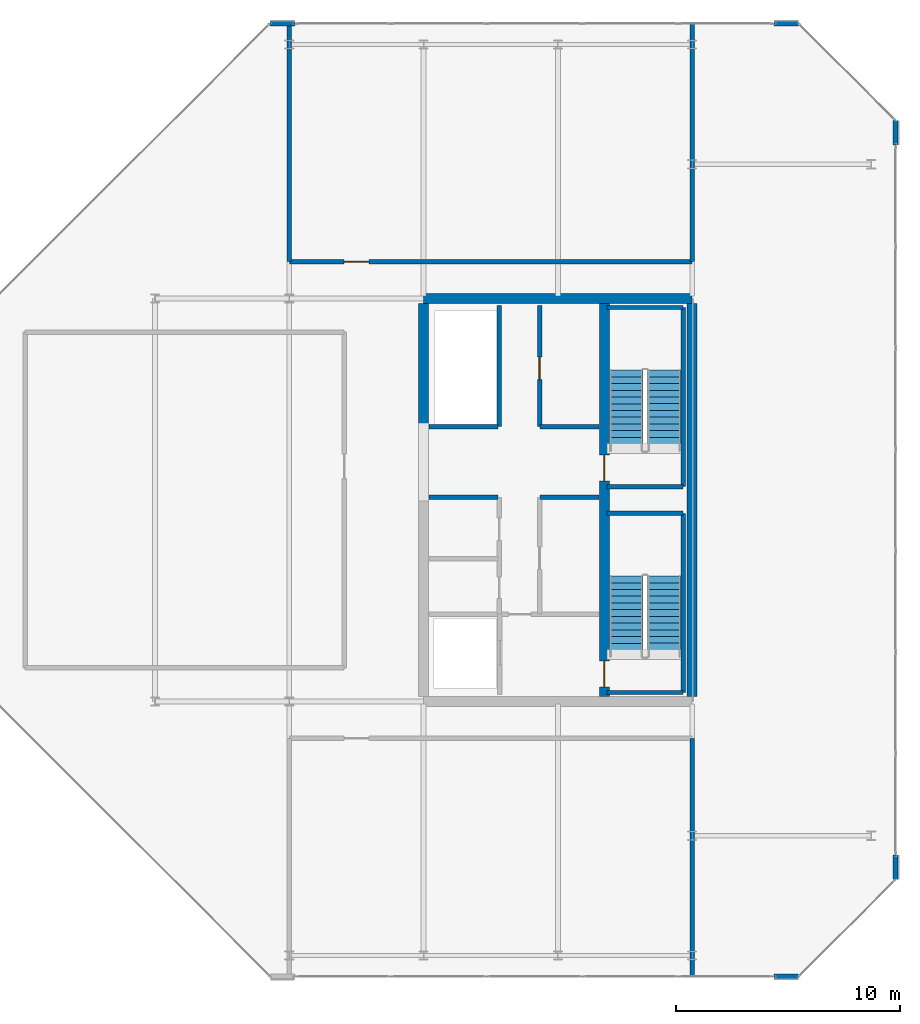
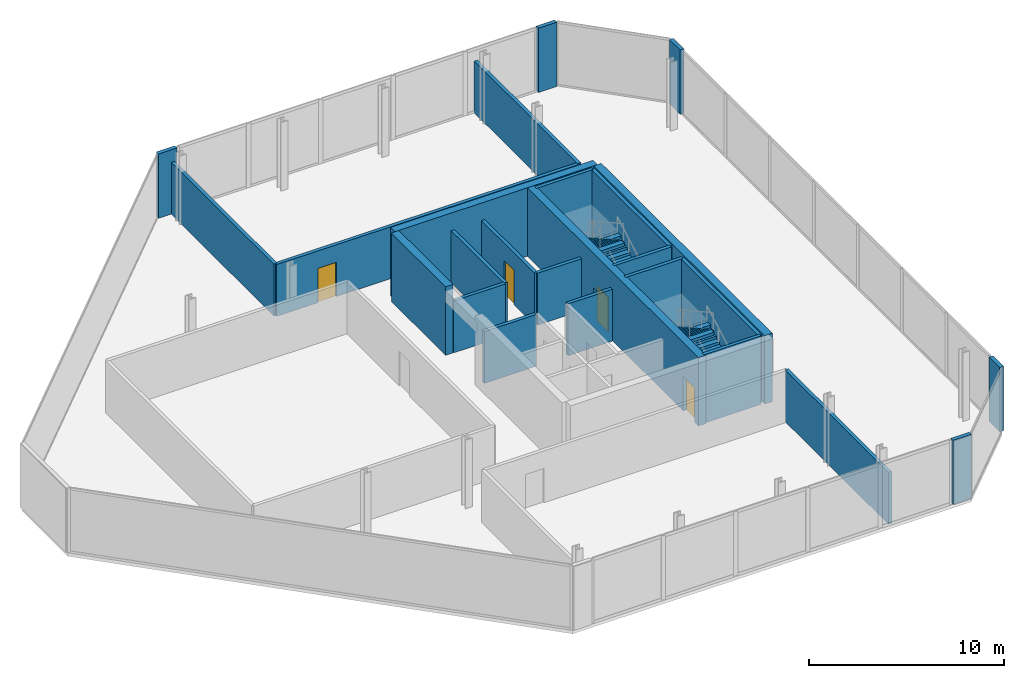
# One storey, part 14 of 16: 25 walls, 4 doors, 4 stair flights, 4 openings, 2 elements without a shape of their own.
"""IFC4 building model written with IfcOpenShell, lengths in metres."""

from ifc_helpers import new_model, si_unit, direction, frame, frame_2d, origin, place, context, subcontext, project, spatial, polyline, rectangle, outline, extrude, material, layer, layer_set, type_object, element, fill, aggregate, save


model = new_model("IFC4")

# Units and contexts
model_context = context("Model", 3, precision=1e-05, world=origin(), true_north=direction((0.0, 1.0)))
body_context = subcontext(model_context, "Body", "Model", "MODEL_VIEW")
ifc_project = project(units=[si_unit("LENGTHUNIT", "METRE"), si_unit("AREAUNIT", "SQUARE_METRE"), si_unit("VOLUMEUNIT", "CUBIC_METRE"), si_unit("PLANEANGLEUNIT", "RADIAN"), si_unit("MASSUNIT", "GRAM", prefix="KILO")], contexts=[model_context])

# Site, building, storey
site_placement = place(None, origin())
site = spatial("IfcSite", under=ifc_project, at=site_placement, CompositionType="ELEMENT")
building_placement = place(site_placement, origin())
building = spatial("IfcBuilding", under=site, at=building_placement, Name="Tanjung Sevakor Pilgrim Tower", CompositionType="ELEMENT")
storey_placement = place(building_placement, frame((0.0, 0.0, 278.85009765625)))
storey = spatial("IfcBuildingStorey", under=building, at=storey_placement, Name="L78", CompositionType="ELEMENT", Elevation=278.85009765625)

# Walls
ifc_material_1 = material(Name="Concrete C60/75", Category="concrete")
ifc_layer_1 = layer(ifc_material_1, 0.449951171875)
ifc_layer_set_1 = layer_set([ifc_layer_1], Name="WALL-CW-450")
wall_type_1 = type_object("IfcWallType", Name="WALL-CW-450", PredefinedType="SHEAR", material=ifc_layer_set_1)
wall_1_placement = place(storey_placement, frame((90.0, 42.60009765625, 0.0), z_axis=(0.0, 0.0, 1.0), x_axis=(-1.0, 0.0, 0.0)))
element("IfcWall", 1, at=wall_1_placement, inside=storey, type_object=wall_type_1, Name="L78 E Core North Shear Wall", PredefinedType="SHEAR", context=body_context, shape_type="SweptSolid", body=[
    extrude(rectangle(XDim=12.0, YDim=0.449951171875, at=frame_2d((6.0, 0.0))), origin(), (0.0, 0.0, 1.0), 4.289794921875),
])
wall_2_placement = place(storey_placement, frame((90.0, 24.824951171875, 0.0), z_axis=(0.0, 0.0, 1.0), x_axis=(0.0, 1.0, 0.0)))
element("IfcWall", 2, at=wall_2_placement, inside=storey, type_object=wall_type_1, Name="L78 E Core Outer Shear Wall", PredefinedType="SHEAR", context=body_context, shape_type="SweptSolid", body=[
    extrude(rectangle(XDim=17.550048828125, YDim=0.449951171875, at=frame_2d((8.77490234375, 0.0))), origin(), (0.0, 0.0, 1.0), 4.289794921875),
])
wall_3_placement = place(storey_placement, frame((78.0, 36.800048828125, 0.0), z_axis=(0.0, 0.0, 1.0), x_axis=(0.0, 1.0, 0.0)))
element("IfcWall", 3, at=wall_3_placement, inside=storey, type_object=wall_type_1, Name="L78 E Core Inner Shear Wall North", PredefinedType="SHEAR", context=body_context, shape_type="SweptSolid", body=[
    extrude(rectangle(XDim=5.574951171875, YDim=0.449951171875, at=frame_2d((2.78759765625, 0.0))), origin(), (0.0, 0.0, 1.0), 4.289794921875),
])

# Wall, openings, doors
wall_4_placement = place(storey_placement, frame((86.074951171875, 24.824951171875, 0.0), z_axis=(0.0, 0.0, 1.0), x_axis=(0.0, 1.0, 0.0)))
wall_4 = element("IfcWall", 4, at=wall_4_placement, inside=storey, type_object=wall_type_1, Name="L78 E Core Stair Spine Wall", PredefinedType="SHEAR", context=body_context, shape_type="SweptSolid", body=[
    extrude(rectangle(XDim=17.550048828125, YDim=0.449951171875, at=frame_2d((8.77490234375, 0.0))), origin(), (0.0, 0.0, 1.0), 4.289794921875),
])
opening_1_placement = place(wall_4_placement, frame((0.425048828125, 0.0, 0.0)))
opening_1 = element("IfcOpeningElement", 5, at=opening_1_placement, cuts=wall_4, Name="Opening ID-ST1", PredefinedType="OPENING", context=body_context, shape_type="SweptSolid", body=[
    extrude(rectangle(XDim=1.14990234375, YDim=2.14990234375, at=frame_2d((0.574951171875, 1.074951171875))), frame((0.0, 0.23486328125, 0.0), z_axis=(0.0, -1.0, 0.0), x_axis=(1.0, 0.0, 0.0)), (0.0, 0.0, 1.0), 0.469970703125),
])
opening_2_placement = place(wall_4_placement, frame((9.625, 0.0, 0.0)))
opening_2 = element("IfcOpeningElement", 6, at=opening_2_placement, cuts=wall_4, Name="Opening ID-ST1", PredefinedType="OPENING", context=body_context, shape_type="SweptSolid", body=[
    extrude(rectangle(XDim=1.14990234375, YDim=2.14990234375, at=frame_2d((0.574951171875, 1.074951171875))), frame((0.0, 0.23486328125, 0.0), z_axis=(0.0, -1.0, 0.0), x_axis=(1.0, 0.0, 0.0)), (0.0, 0.0, 1.0), 0.469970703125),
])
ifc_material_2 = material(Name="Fire-Rated Steel S355J2", Category="steel")
door_type_1 = type_object("IfcDoorType", Name="DT-FIRE-1150", OperationType="NOTDEFINED", PredefinedType="DOOR", material=ifc_material_2)
door_1_placement = place(opening_1_placement, origin())
door_1 = element("IfcDoor", 7, at=door_1_placement, inside=storey, type_object=door_type_1, Name="L78 TS-E1 Stair Fire Door", OperationType="SINGLE_SWING_LEFT", OverallHeight=2.14990234375, OverallWidth=1.14990234375, PredefinedType="DOOR", context=body_context, shape_type="SweptSolid", body=[
    extrude(rectangle(XDim=1.14990234375, YDim=2.14990234375, at=frame_2d((0.574951171875, 1.074951171875))), frame((0.0, 0.02490234375, 0.0), z_axis=(0.0, -1.0, 0.0), x_axis=(1.0, 0.0, 0.0)), (0.0, 0.0, 1.0), 0.050048828125),
])
fill(opening_1, door_1)
door_2_placement = place(opening_2_placement, origin())
door_2 = element("IfcDoor", 8, at=door_2_placement, inside=storey, type_object=door_type_1, Name="L78 TS-E2 Stair Fire Door", OperationType="SINGLE_SWING_RIGHT", OverallHeight=2.14990234375, OverallWidth=1.14990234375, PredefinedType="DOOR", context=body_context, shape_type="SweptSolid", body=[
    extrude(rectangle(XDim=1.14990234375, YDim=2.14990234375, at=frame_2d((0.574951171875, 1.074951171875))), frame((0.0, 0.02490234375, 0.0), z_axis=(0.0, -1.0, 0.0), x_axis=(1.0, 0.0, 0.0)), (0.0, 0.0, 1.0), 0.050048828125),
])
fill(opening_2, door_2)

# Walls
ifc_material_3 = material(Name="Precast concrete C45/55", Category="concrete")
ifc_layer_2 = layer(ifc_material_3, 0.219970703125)
ifc_layer_set_2 = layer_set([ifc_layer_2], Name="WT-EW-STN4")
wall_type_2 = type_object("IfcWallType", Name="WT-EW-STN4", PredefinedType="SOLIDWALL", material=ifc_layer_set_2)
for number, where, z_axis, x_axis, name in (
    (9, (93.654296875, 12.31005859375, 0.0), (0.0, 0.0, 1.0), (1.0, 0.0, 0.0), "L78 EAST Crown Pier 0-1B"),
    (10, (99.090087890625, 16.6455078125, 0.0), (0.0, 0.0, 1.0), (0.0, 1.0, 0.0), "L78 EAST Crown Pier 2-1A"),
    (11, (99.090087890625, 49.454345703125, 0.0), (0.0, 0.0, 1.0), (0.0, 1.0, 0.0), "L78 EAST Crown Pier 2-1B"),
    (12, (94.75439453125, 54.889892578125, 0.0), (0.0, 0.0, 1.0), (-1.0, 0.0, 0.0), "L78 EAST Crown Pier 4-1A"),
    (13, (72.24560546875, 54.889892578125, 0.0), (0.0, 0.0, 1.0), (-1.0, 0.0, 0.0), "L78 EAST Crown Pier 4-1B"),
):
    element("IfcWall", number, at=place(storey_placement, frame(where, z_axis=z_axis, x_axis=x_axis)), inside=storey, type_object=wall_type_2, Name=name, PredefinedType="SOLIDWALL", context=body_context, shape_type="SweptSolid", body=[
        extrude(rectangle(XDim=1.10009765625, YDim=0.219970703125, at=frame_2d((0.550048828125, 0.0))), origin(), (0.0, 0.0, 1.0), 4.030029296875),
    ])
ifc_material_4 = material(Name="Concrete C40/50", Category="concrete")
ifc_layer_3 = layer(ifc_material_4, 0.199951171875)
ifc_layer_set_3 = layer_set([ifc_layer_3], Name="WT-FIRE-200")
wall_type_3 = type_object("IfcWallType", Name="WT-FIRE-200", PredefinedType="SOLIDWALL", material=ifc_layer_set_3)
wall_5_placement = place(storey_placement, frame((86.199951171875, 25.0, 0.0), z_axis=(0.0, 0.0, 1.0), x_axis=(1.0, 0.0, 0.0)))
element("IfcWall", 14, at=wall_5_placement, inside=storey, type_object=wall_type_3, Name="L78 TS-E1 Shaft Wall 1", PredefinedType="SOLIDWALL", context=body_context, shape_type="SweptSolid", body=[
    extrude(rectangle(XDim=3.400146484375, YDim=0.199951171875, at=frame_2d((1.7001953125, 0.0))), origin(), (0.0, 0.0, 1.0), 4.289794921875),
])
wall_6_placement = place(storey_placement, frame((89.60009765625, 25.0, 0.0), z_axis=(0.0, 0.0, 1.0), x_axis=(0.0, 1.0, 0.0)))
element("IfcWall", 15, at=wall_6_placement, inside=storey, type_object=wall_type_3, Name="L78 TS-E1 Shaft Wall 2", PredefinedType="SOLIDWALL", context=body_context, shape_type="SweptSolid", body=[
    extrude(rectangle(XDim=8.0, YDim=0.199951171875, at=frame_2d((4.0, 0.0))), origin(), (0.0, 0.0, 1.0), 4.289794921875),
])
for number, where, z_axis, x_axis, name in (
    (16, (89.60009765625, 33.0, 0.0), (0.0, 0.0, 1.0), (-1.0, 0.0, 0.0), "L78 TS-E1 Shaft Wall 3"),
    (17, (86.199951171875, 34.199951171875, 0.0), (0.0, 0.0, 1.0), (1.0, 0.0, 0.0), "L78 TS-E2 Shaft Wall 1"),
):
    element("IfcWall", number, at=place(storey_placement, frame(where, z_axis=z_axis, x_axis=x_axis)), inside=storey, type_object=wall_type_3, Name=name, PredefinedType="SOLIDWALL", context=body_context, shape_type="SweptSolid", body=[
        extrude(rectangle(XDim=3.400146484375, YDim=0.199951171875, at=frame_2d((1.7001953125, 0.0))), origin(), (0.0, 0.0, 1.0), 4.289794921875),
    ])
wall_7_placement = place(storey_placement, frame((89.60009765625, 34.199951171875, 0.0), z_axis=(0.0, 0.0, 1.0), x_axis=(0.0, 1.0, 0.0)))
element("IfcWall", 18, at=wall_7_placement, inside=storey, type_object=wall_type_3, Name="L78 TS-E2 Shaft Wall 2", PredefinedType="SOLIDWALL", context=body_context, shape_type="SweptSolid", body=[
    extrude(rectangle(XDim=8.0, YDim=0.199951171875, at=frame_2d((4.0, 0.0))), origin(), (0.0, 0.0, 1.0), 4.289794921875),
])
wall_8_placement = place(storey_placement, frame((89.60009765625, 42.199951171875, 0.0), z_axis=(0.0, 0.0, 1.0), x_axis=(-1.0, 0.0, 0.0)))
element("IfcWall", 19, at=wall_8_placement, inside=storey, type_object=wall_type_3, Name="L78 TS-E2 Shaft Wall 3", PredefinedType="SOLIDWALL", context=body_context, shape_type="SweptSolid", body=[
    extrude(rectangle(XDim=3.400146484375, YDim=0.199951171875, at=frame_2d((1.7001953125, 0.0))), origin(), (0.0, 0.0, 1.0), 4.289794921875),
])
ifc_material_5 = material(Name="Concrete C40/50", Category="concrete")
ifc_layer_4 = layer(ifc_material_5, 0.199951171875)
ifc_layer_set_4 = layer_set([ifc_layer_4], Name="WT-FPRT-200")
wall_type_4 = type_object("IfcWallType", Name="WT-FPRT-200", PredefinedType="SOLIDWALL", material=ifc_layer_set_4)
wall_9_placement = place(storey_placement, frame((83.199951171875, 33.719970703125, 0.0), z_axis=(0.0, 0.0, 1.0), x_axis=(1.0, 0.0, 0.0)))
element("IfcWall", 20, at=wall_9_placement, inside=storey, type_object=wall_type_4, Name="L78 Partition IW-L78-003", PredefinedType="SOLIDWALL", context=body_context, shape_type="SweptSolid", body=[
    extrude(rectangle(XDim=2.630126953125, YDim=0.199951171875, at=frame_2d((1.31494140625, 0.0))), origin(), (0.0, 0.0, 1.0), 3.25),
])
wall_10_placement = place(storey_placement, frame((78.2451171875, 33.719970703125, 0.0), z_axis=(0.0, 0.0, 1.0), x_axis=(1.0, 0.0, 0.0)))
element("IfcWall", 21, at=wall_10_placement, inside=storey, type_object=wall_type_4, Name="L78 Partition IW-L78-006", PredefinedType="SOLIDWALL", context=body_context, shape_type="SweptSolid", body=[
    extrude(rectangle(XDim=3.074951171875, YDim=0.199951171875, at=frame_2d((1.53759765625, 0.0))), origin(), (0.0, 0.0, 1.0), 3.25),
])
wall_11_placement = place(storey_placement, frame((83.199951171875, 36.8798828125, 0.0), z_axis=(0.0, 0.0, 1.0), x_axis=(1.0, 0.0, 0.0)))
element("IfcWall", 22, at=wall_11_placement, inside=storey, type_object=wall_type_4, Name="L78 Partition IW-L78-008", PredefinedType="SOLIDWALL", context=body_context, shape_type="SweptSolid", body=[
    extrude(rectangle(XDim=2.630126953125, YDim=0.199951171875, at=frame_2d((1.31494140625, 0.0))), origin(), (0.0, 0.0, 1.0), 3.25),
])

# Wall, opening, door
wall_12_placement = place(storey_placement, frame((83.179931640625, 36.8798828125, 0.0), z_axis=(0.0, 0.0, 1.0), x_axis=(0.0, 1.0, 0.0)))
wall_12 = element("IfcWall", 23, at=wall_12_placement, inside=storey, type_object=wall_type_4, Name="L78 Partition IW-L78-009", PredefinedType="SOLIDWALL", context=body_context, shape_type="SweptSolid", body=[
    extrude(rectangle(XDim=5.420166015625, YDim=0.199951171875, at=frame_2d((2.7099609375, 0.0))), origin(), (0.0, 0.0, 1.0), 3.25),
])
opening_3_placement = place(wall_12_placement, frame((2.10009765625, 0.0, 0.0)))
opening_3 = element("IfcOpeningElement", 24, at=opening_3_placement, cuts=wall_12, Name="Opening ID-FD1", PredefinedType="OPENING", context=body_context, shape_type="SweptSolid", body=[
    extrude(rectangle(XDim=1.0, YDim=2.14990234375, at=frame_2d((0.5, 1.074951171875))), frame((0.0, 0.10986328125, 0.0), z_axis=(0.0, -1.0, 0.0), x_axis=(1.0, 0.0, 0.0)), (0.0, 0.0, 1.0), 0.219970703125),
])
ifc_material_6 = material(Name="Fire-Rated Steel S355J2", Category="steel")
door_type_2 = type_object("IfcDoorType", Name="DT-FIRE-1000", OperationType="NOTDEFINED", PredefinedType="DOOR", material=ifc_material_6)
door_3_placement = place(opening_3_placement, origin())
door_3 = element("IfcDoor", 25, at=door_3_placement, inside=storey, type_object=door_type_2, Name="L78 Core Switchroom Door", OperationType="SINGLE_SWING_LEFT", OverallHeight=2.14990234375, OverallWidth=1.0, PredefinedType="DOOR", context=body_context, shape_type="SweptSolid", body=[
    extrude(rectangle(XDim=1.0, YDim=2.14990234375, at=frame_2d((0.5, 1.074951171875))), frame((0.0, 0.02490234375, 0.0), z_axis=(0.0, -1.0, 0.0), x_axis=(1.0, 0.0, 0.0)), (0.0, 0.0, 1.0), 0.050048828125),
])
fill(opening_3, door_3)

# Walls
wall_13_placement = place(storey_placement, frame((78.2451171875, 36.8798828125, 0.0), z_axis=(0.0, 0.0, 1.0), x_axis=(1.0, 0.0, 0.0)))
element("IfcWall", 26, at=wall_13_placement, inside=storey, type_object=wall_type_4, Name="L78 Partition IW-L78-010", PredefinedType="SOLIDWALL", context=body_context, shape_type="SweptSolid", body=[
    extrude(rectangle(XDim=3.074951171875, YDim=0.199951171875, at=frame_2d((1.53759765625, 0.0))), origin(), (0.0, 0.0, 1.0), 3.25),
])
wall_14_placement = place(storey_placement, frame((81.3798828125, 36.8798828125, 0.0), z_axis=(0.0, 0.0, 1.0), x_axis=(0.0, 1.0, 0.0)))
element("IfcWall", 27, at=wall_14_placement, inside=storey, type_object=wall_type_4, Name="L78 Partition IW-L78-011", PredefinedType="SOLIDWALL", context=body_context, shape_type="SweptSolid", body=[
    extrude(rectangle(XDim=5.420166015625, YDim=0.199951171875, at=frame_2d((2.7099609375, 0.0))), origin(), (0.0, 0.0, 1.0), 3.25),
])
wall_15_placement = place(storey_placement, frame((90.0, 12.340087890625, 0.0), z_axis=(0.0, 0.0, 1.0), x_axis=(0.0, 1.0, 0.0)))
element("IfcWall", 28, at=wall_15_placement, inside=storey, type_object=wall_type_4, Name="L78 Partition IW-L78-018", PredefinedType="SOLIDWALL", context=body_context, shape_type="SweptSolid", body=[
    extrude(rectangle(XDim=10.60986328125, YDim=0.199951171875, at=frame_2d((5.304931640625, 0.0))), origin(), (0.0, 0.0, 1.0), 3.25),
])

# Wall, opening, door
wall_16_placement = place(storey_placement, frame((72.0, 44.25, 0.0), z_axis=(0.0, 0.0, 1.0), x_axis=(1.0, 0.0, 0.0)))
wall_16 = element("IfcWall", 29, at=wall_16_placement, inside=storey, type_object=wall_type_4, Name="L78 Partition IW-L78-019", PredefinedType="SOLIDWALL", context=body_context, shape_type="SweptSolid", body=[
    extrude(rectangle(XDim=18.0, YDim=0.199951171875, at=frame_2d((9.0, 0.0))), origin(), (0.0, 0.0, 1.0), 3.25),
])
opening_4_placement = place(wall_16_placement, frame((2.449951171875, 0.0, 0.0)))
opening_4 = element("IfcOpeningElement", 30, at=opening_4_placement, cuts=wall_16, Name="Opening ID-FD0", PredefinedType="OPENING", context=body_context, shape_type="SweptSolid", body=[
    extrude(rectangle(XDim=1.10009765625, YDim=2.14990234375, at=frame_2d((0.550048828125, 1.074951171875))), frame((0.0, 0.10986328125, 0.0), z_axis=(0.0, -1.0, 0.0), x_axis=(1.0, 0.0, 0.0)), (0.0, 0.0, 1.0), 0.219970703125),
])
ifc_material_7 = material(Name="Fire-Rated Steel S355J2", Category="steel")
door_type_3 = type_object("IfcDoorType", Name="DT-FIRE-1100", OperationType="NOTDEFINED", PredefinedType="DOOR", material=ifc_material_7)
door_4_placement = place(opening_4_placement, origin())
door_4 = element("IfcDoor", 31, at=door_4_placement, inside=storey, type_object=door_type_3, Name="L78 North Switchroom Door", OperationType="SINGLE_SWING_RIGHT", OverallHeight=2.14990234375, OverallWidth=1.10009765625, PredefinedType="DOOR", context=body_context, shape_type="SweptSolid", body=[
    extrude(rectangle(XDim=1.10009765625, YDim=2.14990234375, at=frame_2d((0.550048828125, 1.074951171875))), frame((0.0, 0.02490234375, 0.0), z_axis=(0.0, -1.0, 0.0), x_axis=(1.0, 0.0, 0.0)), (0.0, 0.0, 1.0), 0.050048828125),
])
fill(opening_4, door_4)

# Walls
for number, where, z_axis, x_axis, name in (
    (32, (72.0, 44.25, 0.0), (0.0, 0.0, 1.0), (0.0, 1.0, 0.0), "L78 Partition IW-L78-020"),
    (33, (90.0, 44.25, 0.0), (0.0, 0.0, 1.0), (0.0, 1.0, 0.0), "L78 Partition IW-L78-021"),
):
    element("IfcWall", number, at=place(storey_placement, frame(where, z_axis=z_axis, x_axis=x_axis)), inside=storey, type_object=wall_type_4, Name=name, PredefinedType="SOLIDWALL", context=body_context, shape_type="SweptSolid", body=[
        extrude(rectangle(XDim=10.610107421875, YDim=0.199951171875, at=frame_2d((5.30517578125, 0.0))), origin(), (0.0, 0.0, 1.0), 3.25),
    ])

# Stair, stair flights
ifc_material_8 = material(Name="Concrete C40/50", Category="concrete")
stair_type = type_object("IfcStairType", Name="STAIR-ST-CR150", PredefinedType="HALF_TURN_STAIR", material=ifc_material_8)
stair_1_placement = place(storey_placement, origin())
stair_1 = element("IfcStair", 34, at=stair_1_placement, inside=storey, type_object=stair_type, Name="L78 East Core Exit Stair 1", PredefinedType="HALF_TURN_STAIR")
ifc_material_9 = material(Name="Concrete C40/50", Category="concrete")
stair_flight_type = type_object("IfcStairFlightType", Name="FLIGHT-ST-CR150", PredefinedType="STRAIGHT", material=ifc_material_9)
stair_flight_1_placement = place(storey_placement, frame((88.75, 26.60009765625, 0.0), z_axis=(0.0, 0.0, 1.0), x_axis=(0.0, 1.0, 0.0)))
stair_flight_1 = element("IfcStairFlight", 35, at=stair_flight_1_placement, type_object=stair_flight_type, Name="TS-E1 flight 1", NumberOfRisers=13, NumberOfTreads=12, PredefinedType="STRAIGHT", RiserHeight=0.165, TreadLength=0.3, context=body_context, shape_type="SweptSolid", body=[
    extrude(outline(polyline([(0.0, 0.0), (0.0, 0.1650390625), (0.300048828125, 0.1650390625), (0.300048828125, 0.330078125), (0.60009765625, 0.330078125), (0.60009765625, 0.4951171875), (0.89990234375, 0.4951171875), (0.89990234375, 0.659912109375), (1.199951171875, 0.659912109375), (1.199951171875, 0.824951171875), (1.5, 0.824951171875), (1.5, 0.989990234375), (1.800048828125, 0.989990234375), (1.800048828125, 1.155029296875), (2.10009765625, 1.155029296875), (2.10009765625, 1.320068359375), (2.39990234375, 1.320068359375), (2.39990234375, 1.485107421875), (2.699951171875, 1.485107421875), (2.699951171875, 1.64990234375), (3.0, 1.64990234375), (3.0, 1.81494140625), (3.300048828125, 1.81494140625), (3.300048828125, 1.97998046875), (3.60009765625, 1.97998046875), (3.60009765625, 2.14501953125), (3.60009765625, 1.797607421875), (0.331787109375, 0.0), (0.0, 0.0)])), frame((0.0, 0.75, 0.0), z_axis=(0.0, -1.0, 0.0), x_axis=(1.0, 0.0, 0.0)), (0.0, 0.0, 1.0), 1.5),
])
stair_flight_2_placement = place(storey_placement, frame((87.050048828125, 30.199951171875, 2.14501953125), z_axis=(0.0, 0.0, 1.0), x_axis=(0.0, -1.0, 0.0)))
stair_flight_2 = element("IfcStairFlight", 36, at=stair_flight_2_placement, type_object=stair_flight_type, Name="TS-E1 flight 2", NumberOfRisers=13, NumberOfTreads=12, PredefinedType="STRAIGHT", RiserHeight=0.165, TreadLength=0.3, context=body_context, shape_type="SweptSolid", body=[
    extrude(outline(polyline([(0.0, 0.0), (0.0, 0.1650390625), (0.300048828125, 0.1650390625), (0.300048828125, 0.330078125), (0.60009765625, 0.330078125), (0.60009765625, 0.4951171875), (0.89990234375, 0.4951171875), (0.89990234375, 0.659912109375), (1.199951171875, 0.659912109375), (1.199951171875, 0.824951171875), (1.5, 0.824951171875), (1.5, 0.989990234375), (1.800048828125, 0.989990234375), (1.800048828125, 1.155029296875), (2.10009765625, 1.155029296875), (2.10009765625, 1.320068359375), (2.39990234375, 1.320068359375), (2.39990234375, 1.485107421875), (2.699951171875, 1.485107421875), (2.699951171875, 1.64990234375), (3.0, 1.64990234375), (3.0, 1.81494140625), (3.300048828125, 1.81494140625), (3.300048828125, 1.97998046875), (3.60009765625, 1.97998046875), (3.60009765625, 2.14501953125), (3.60009765625, 1.797607421875), (0.331787109375, 0.0), (0.0, 0.0)])), frame((0.0, 0.75, 0.0), z_axis=(0.0, -1.0, 0.0), x_axis=(1.0, 0.0, 0.0)), (0.0, 0.0, 1.0), 1.5),
])
aggregate(stair_1, [stair_flight_1, stair_flight_2])

stair_2_placement = place(storey_placement, origin())
stair_2 = element("IfcStair", 37, at=stair_2_placement, inside=storey, type_object=stair_type, Name="L78 East Core Exit Stair 2", PredefinedType="HALF_TURN_STAIR")
stair_flight_3_placement = place(storey_placement, frame((88.75, 35.800048828125, 0.0), z_axis=(0.0, 0.0, 1.0), x_axis=(0.0, 1.0, 0.0)))
stair_flight_3 = element("IfcStairFlight", 38, at=stair_flight_3_placement, type_object=stair_flight_type, Name="TS-E2 flight 1", NumberOfRisers=13, NumberOfTreads=12, PredefinedType="STRAIGHT", RiserHeight=0.165, TreadLength=0.3, context=body_context, shape_type="SweptSolid", body=[
    extrude(outline(polyline([(0.0, 0.0), (0.0, 0.1650390625), (0.300048828125, 0.1650390625), (0.300048828125, 0.330078125), (0.60009765625, 0.330078125), (0.60009765625, 0.4951171875), (0.89990234375, 0.4951171875), (0.89990234375, 0.659912109375), (1.199951171875, 0.659912109375), (1.199951171875, 0.824951171875), (1.5, 0.824951171875), (1.5, 0.989990234375), (1.800048828125, 0.989990234375), (1.800048828125, 1.155029296875), (2.10009765625, 1.155029296875), (2.10009765625, 1.320068359375), (2.39990234375, 1.320068359375), (2.39990234375, 1.485107421875), (2.699951171875, 1.485107421875), (2.699951171875, 1.64990234375), (3.0, 1.64990234375), (3.0, 1.81494140625), (3.300048828125, 1.81494140625), (3.300048828125, 1.97998046875), (3.60009765625, 1.97998046875), (3.60009765625, 2.14501953125), (3.60009765625, 1.797607421875), (0.331787109375, 0.0), (0.0, 0.0)])), frame((0.0, 0.75, 0.0), z_axis=(0.0, -1.0, 0.0), x_axis=(1.0, 0.0, 0.0)), (0.0, 0.0, 1.0), 1.5),
])
stair_flight_4_placement = place(storey_placement, frame((87.050048828125, 39.39990234375, 2.14501953125), z_axis=(0.0, 0.0, 1.0), x_axis=(0.0, -1.0, 0.0)))
stair_flight_4 = element("IfcStairFlight", 39, at=stair_flight_4_placement, type_object=stair_flight_type, Name="TS-E2 flight 2", NumberOfRisers=13, NumberOfTreads=12, PredefinedType="STRAIGHT", RiserHeight=0.165, TreadLength=0.3, context=body_context, shape_type="SweptSolid", body=[
    extrude(outline(polyline([(0.0, 0.0), (0.0, 0.1650390625), (0.300048828125, 0.1650390625), (0.300048828125, 0.330078125), (0.60009765625, 0.330078125), (0.60009765625, 0.4951171875), (0.89990234375, 0.4951171875), (0.89990234375, 0.659912109375), (1.199951171875, 0.659912109375), (1.199951171875, 0.824951171875), (1.5, 0.824951171875), (1.5, 0.989990234375), (1.800048828125, 0.989990234375), (1.800048828125, 1.155029296875), (2.10009765625, 1.155029296875), (2.10009765625, 1.320068359375), (2.39990234375, 1.320068359375), (2.39990234375, 1.485107421875), (2.699951171875, 1.485107421875), (2.699951171875, 1.64990234375), (3.0, 1.64990234375), (3.0, 1.81494140625), (3.300048828125, 1.81494140625), (3.300048828125, 1.97998046875), (3.60009765625, 1.97998046875), (3.60009765625, 2.14501953125), (3.60009765625, 1.797607421875), (0.331787109375, 0.0), (0.0, 0.0)])), frame((0.0, 0.75, 0.0), z_axis=(0.0, -1.0, 0.0), x_axis=(1.0, 0.0, 0.0)), (0.0, 0.0, 1.0), 1.5),
])
aggregate(stair_2, [stair_flight_3, stair_flight_4])

save(model, "model.ifc")
